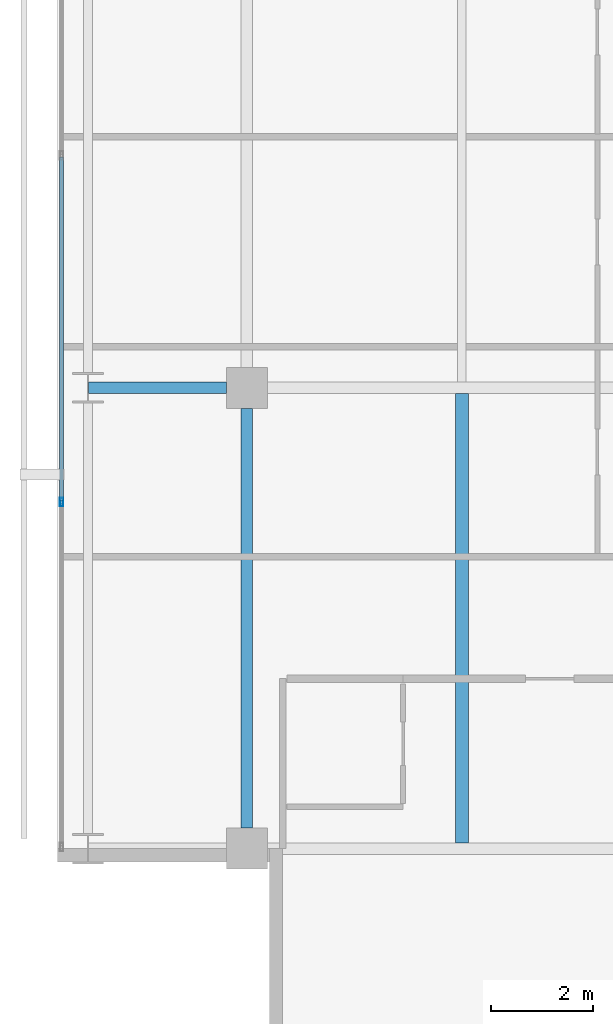
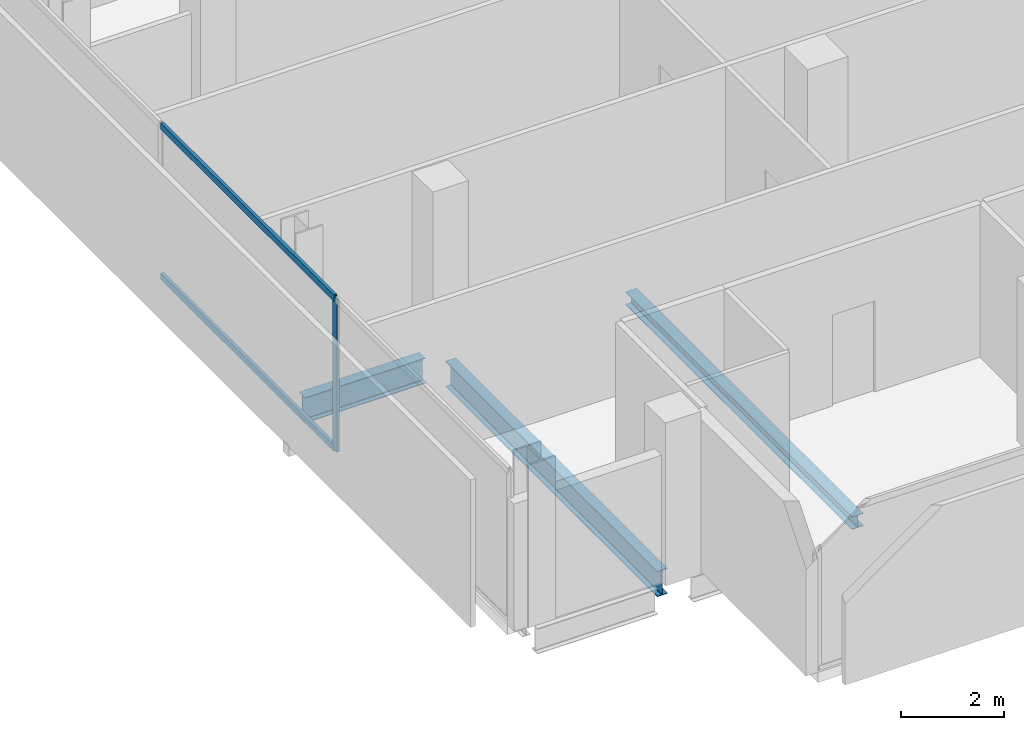
# One storey, part 4 of 34: 3 beams, 3 members, 1 element without a shape of its own.
"""IFC4 building model written with IfcOpenShell, lengths in metres."""

from ifc_helpers import new_model, si_unit, direction, frame, origin, origin_2d, place, context, subcontext, project, spatial, hollow_rectangle, i_section, extrude, material, layer, layer_set, material_profile, profile_set, type_object, element, aggregate, save


model = new_model("IFC4")

# Units and contexts
model_context = context("Model", 3, precision=1e-05, world=origin(), true_north=direction((0.0, 1.0)))
body_context = subcontext(model_context, "Body", "Model", "MODEL_VIEW")
ifc_project = project(units=[si_unit("LENGTHUNIT", "METRE"), si_unit("AREAUNIT", "SQUARE_METRE"), si_unit("VOLUMEUNIT", "CUBIC_METRE"), si_unit("PLANEANGLEUNIT", "RADIAN"), si_unit("MASSUNIT", "GRAM", prefix="KILO")], contexts=[model_context])

# Site, building, storey
site_placement = place(None, origin())
site = spatial("IfcSite", under=ifc_project, at=site_placement, CompositionType="ELEMENT")
building_placement = place(site_placement, origin())
building = spatial("IfcBuilding", under=site, at=building_placement, Name="Maruvema Waterfront Hotel and Observation Tower", CompositionType="ELEMENT")
storey_placement = place(building_placement, frame((0.0, 0.0, 173.60009765625)))
storey = spatial("IfcBuildingStorey", under=building, at=storey_placement, Name="L42", CompositionType="ELEMENT", Elevation=173.60009765625)

# Curtain wall, members
ifc_material_1 = material(Name="Anodised bronze aluminium and solar-control low-E IGU", Category="aluminium")
ifc_layer = layer(ifc_material_1, 0.159912109375, Name="Zone 2 Amber Inner Thermal Curtain Wall System CW-03")
ifc_layer_set = layer_set([ifc_layer], Name="Anodised bronze aluminium and solar-control low-E IGU")
curtain_wall_type = type_object("IfcCurtainWallType", Name="Zone 2 Amber Inner Thermal Curtain Wall System CW-03", PredefinedType="USERDEFINED", material=ifc_layer_set)
curtain_wall_placement = place(storey_placement, origin())
curtain_wall = element("IfcCurtainWall", 1, at=curtain_wall_placement, inside=storey, type_object=curtain_wall_type, Name="L42 Curtain Wall CW-L42-W", ObjectType="UNITISED CURTAIN WALL", PredefinedType="USERDEFINED")
ifc_material_2 = material(Name="Anodised architectural bronze aluminium", Category="aluminium")
ifc_material_profile_1 = material_profile(ifc_material_2, hollow_rectangle(XDim=0.070068359375, YDim=0.14990234375, WallThickness=0.00390625, at=origin_2d()), Name="ALU-T70x150")
ifc_profile_set_1 = profile_set([ifc_material_profile_1], Name="Anodised architectural bronze aluminium")
member_type_1 = type_object("IfcMemberType", Name="Curtain Wall Horizontal Transom ALU-T70x150", PredefinedType="USERDEFINED", material=ifc_profile_set_1)
member_1_placement = place(storey_placement, frame((13.179931640625, 22.50341796875, 0.02978515625), z_axis=(0.0, -1.0, 0.0), x_axis=(1.0, 0.0, 0.0)))
member_1 = element("IfcMember", 2, at=member_1_placement, type_object=member_type_1, Name="CW-03 transom 5.1", ObjectType="TRANSOM", PredefinedType="USERDEFINED", context=body_context, shape_type="SweptSolid", body=[
    extrude(hollow_rectangle(XDim=0.070068359375, YDim=0.14990234375, WallThickness=0.00390625, at=origin_2d()), origin(), (0.0, 0.0, 1.0), 6.706787109375),
])
member_2_placement = place(storey_placement, frame((13.179931640625, 22.50341796875, 3.579833984375), z_axis=(0.0, -1.0, 0.0), x_axis=(1.0, 0.0, 0.0)))
member_2 = element("IfcMember", 3, at=member_2_placement, type_object=member_type_1, Name="CW-03 transom 5.2", ObjectType="TRANSOM", PredefinedType="USERDEFINED", context=body_context, shape_type="SweptSolid", body=[
    extrude(hollow_rectangle(XDim=0.070068359375, YDim=0.14990234375, WallThickness=0.00390625, at=origin_2d()), origin(), (0.0, 0.0, 1.0), 6.706787109375),
])
ifc_material_3 = material(Name="Anodised architectural bronze aluminium", Category="aluminium")
ifc_material_profile_2 = material_profile(ifc_material_3, hollow_rectangle(XDim=0.06494140625, YDim=0.1650390625, WallThickness=0.00390625, at=origin_2d()), Name="ALU-M65x165")
ifc_profile_set_2 = profile_set([ifc_material_profile_2], Name="Anodised architectural bronze aluminium")
member_type_2 = type_object("IfcMemberType", Name="Curtain Wall Primary Mullion ALU-M65x165", PredefinedType="MULLION", material=ifc_profile_set_2)
member_3_placement = place(storey_placement, frame((13.179931640625, 15.7666015625, 0.0), z_axis=(0.0, 0.0, 1.0), x_axis=(1.0, 0.0, 0.0)))
member_3 = element("IfcMember", 4, at=member_3_placement, type_object=member_type_2, Name="CW-03 mullion 6", PredefinedType="MULLION", context=body_context, shape_type="SweptSolid", body=[
    extrude(hollow_rectangle(XDim=0.06494140625, YDim=0.1650390625, WallThickness=0.00390625, at=origin_2d()), origin(), (0.0, 0.0, 1.0), 3.60986328125),
])
aggregate(curtain_wall, [member_3, member_1, member_2])

# Beams
ifc_material_4 = material(Name="Steel ASTM A572 Grade 50", Category="steel")
ifc_material_profile_3 = material_profile(ifc_material_4, i_section(OverallWidth=0.22802734375, OverallDepth=0.60302734375, WebThickness=0.010498046875, FlangeThickness=0.014892578125, FilletRadius=0.01806640625, at=origin_2d()), Name="W610x101.0")
ifc_profile_set_3 = profile_set([ifc_material_profile_3], Name="Steel ASTM A572 Grade 50")
beam_type_1 = type_object("IfcBeamType", Name="Primary Floor Girder W610x101.0", PredefinedType="BEAM", material=ifc_profile_set_3)
beam_1_placement = place(storey_placement, frame((13.71240234375, 18.0, -0.54150390625), z_axis=(1.0, 0.0, 0.0), x_axis=(0.0, 1.0, 0.0)))
element("IfcBeam", 5, at=beam_1_placement, inside=storey, type_object=beam_type_1, Name="L42 Floor Girder EW-11", PredefinedType="BEAM", context=body_context, shape_type="SweptSolid", body=[
    extrude(i_section(OverallWidth=0.22802734375, OverallDepth=0.60302734375, WebThickness=0.010498046875, FlangeThickness=0.014892578125, FilletRadius=0.01806640625, at=origin_2d()), origin(), (0.0, 0.0, 1.0), 2.6875),
])
beam_2_placement = place(storey_placement, frame((16.800048828125, 9.39990234375, -0.54150390625), z_axis=(0.0, 1.0, 0.0), x_axis=(-1.0, 0.0, 0.0)))
element("IfcBeam", 6, at=beam_2_placement, inside=storey, type_object=beam_type_1, Name="L42 Floor Girder NS-05", PredefinedType="BEAM", context=body_context, shape_type="SweptSolid", body=[
    extrude(i_section(OverallWidth=0.22802734375, OverallDepth=0.60302734375, WebThickness=0.010498046875, FlangeThickness=0.014892578125, FilletRadius=0.01806640625, at=origin_2d()), origin(), (0.0, 0.0, 1.0), 8.2001953125),
])
ifc_material_5 = material(Name="Steel ASTM A572 Grade 50", Category="steel")
ifc_material_profile_4 = material_profile(ifc_material_5, i_section(OverallWidth=0.25390625, OverallDepth=0.305908203125, WebThickness=0.0087890625, FlangeThickness=0.0146484375, FilletRadius=0.014892578125, at=origin_2d()), Name="W310x79.0")
ifc_profile_set_4 = profile_set([ifc_material_profile_4], Name="Steel ASTM A572 Grade 50")
beam_type_2 = type_object("IfcBeamType", Name="Secondary Floor Joist W310x79.0", PredefinedType="JOIST", material=ifc_profile_set_4)
beam_3_placement = place(storey_placement, frame((21.0, 9.114013671875, -0.39306640625), z_axis=(0.0, 1.0, 0.0), x_axis=(-1.0, 0.0, 0.0)))
element("IfcBeam", 7, at=beam_3_placement, inside=storey, type_object=beam_type_2, Name="L42 Secondary Floor Joist JS-01", PredefinedType="JOIST", context=body_context, shape_type="SweptSolid", body=[
    extrude(i_section(OverallWidth=0.25390625, OverallDepth=0.305908203125, WebThickness=0.0087890625, FlangeThickness=0.0146484375, FilletRadius=0.014892578125, at=origin_2d()), origin(), (0.0, 0.0, 1.0), 8.77197265625),
])

save(model, "model.ifc")
